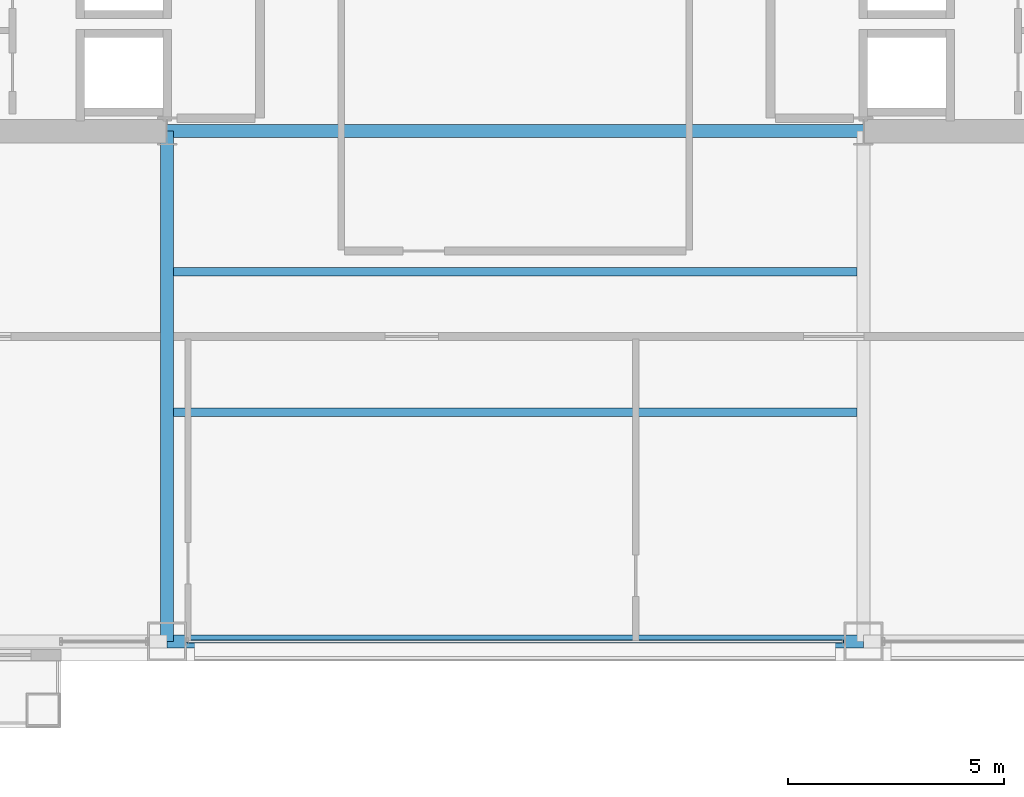
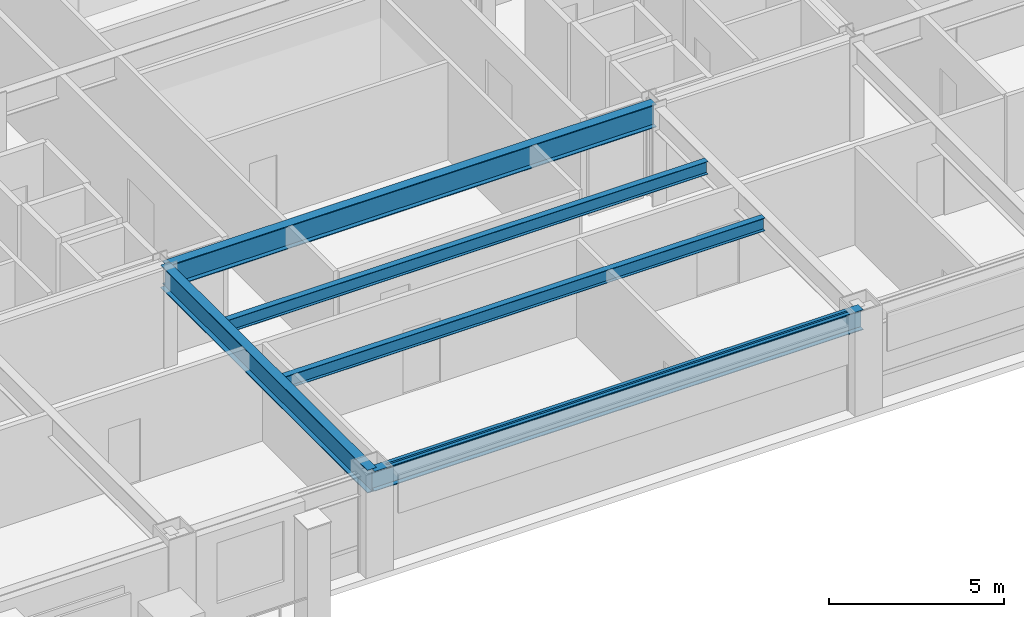
# One storey, part 5 of 29: 5 beams, 1 member, 1 element without a shape of its own.
"""IFC4 building model written with IfcOpenShell, lengths in metres."""

from ifc_helpers import new_model, si_unit, direction, frame, origin, origin_2d, place, context, subcontext, project, spatial, hollow_rectangle, i_section, extrude, material, layer, layer_set, material_profile, profile_set, type_object, element, aggregate, save


model = new_model("IFC4")

# Units and contexts
model_context = context("Model", 3, precision=1e-05, world=origin(), true_north=direction((0.0, 1.0)))
body_context = subcontext(model_context, "Body", "Model", "MODEL_VIEW")
ifc_project = project(units=[si_unit("LENGTHUNIT", "METRE"), si_unit("AREAUNIT", "SQUARE_METRE"), si_unit("VOLUMEUNIT", "CUBIC_METRE"), si_unit("PLANEANGLEUNIT", "RADIAN"), si_unit("MASSUNIT", "GRAM", prefix="KILO")], contexts=[model_context])

# Site, building, storey
site_placement = place(None, origin())
site = spatial("IfcSite", under=ifc_project, at=site_placement, CompositionType="ELEMENT")
building_placement = place(site_placement, origin())
building = spatial("IfcBuilding", under=site, at=building_placement, Name="Brelmoor Portico Tower", CompositionType="ELEMENT")
storey_placement = place(building_placement, frame((0.0, 0.0, 63.60009765625)))
storey = spatial("IfcBuildingStorey", under=building, at=storey_placement, Name="L16", CompositionType="ELEMENT", Elevation=63.60009765625)

# Beams
ifc_material_1 = material(Name="Steel Q355B", Category="steel")
ifc_material_profile_1 = material_profile(ifc_material_1, i_section(OverallWidth=0.199951171875, OverallDepth=0.449951171875, WebThickness=0.009033203125, FlangeThickness=0.013916015625, at=origin_2d()), Name="HN 450x200x9x14")
ifc_profile_set_1 = profile_set([ifc_material_profile_1], Name="Steel Q355B")
beam_type_1 = type_object("IfcBeamType", Name="BM-JS-450", PredefinedType="JOIST", material=ifc_profile_set_1)
for number, where, z_axis, x_axis, name in (
    (1, (-7.89990234375, -16.25, 3.1748046875), (1.0, 0.0, 0.0), (0.0, 1.0, 0.0), "L16 Secondary Composite Joist JS-C01"),
    (2, (-7.89990234375, -13.0, 3.1748046875), (1.0, 0.0, 0.0), (0.0, 1.0, 0.0), "L16 Secondary Composite Joist JS-C02"),
):
    element("IfcBeam", number, at=place(storey_placement, frame(where, z_axis=z_axis, x_axis=x_axis)), inside=storey, type_object=beam_type_1, Name=name, PredefinedType="JOIST", context=body_context, shape_type="SweptSolid", body=[
        extrude(i_section(OverallWidth=0.199951171875, OverallDepth=0.449951171875, WebThickness=0.009033203125, FlangeThickness=0.013916015625, at=origin_2d()), origin(), (0.0, 0.0, 1.0), 15.7998046875),
    ])
ifc_material_profile_2 = material_profile(ifc_material_1, i_section(OverallWidth=0.300048828125, OverallDepth=0.800048828125, WebThickness=0.013916015625, FlangeThickness=0.02587890625, at=origin_2d()), Name="HN 800x300x14x26")
ifc_profile_set_2 = profile_set([ifc_material_profile_2], Name="Steel Q355B")
beam_type_2 = type_object("IfcBeamType", Name="BM-PG-800", PredefinedType="BEAM", material=ifc_profile_set_2)
beam_1_placement = place(storey_placement, frame((-8.050048828125, -21.550048828125, 3.0), z_axis=(0.0, 1.0, 0.0), x_axis=(-1.0, 0.0, 0.0)))
element("IfcBeam", 3, at=beam_1_placement, inside=storey, type_object=beam_type_2, Name="L16 Primary Floor Girder PG-07", PredefinedType="BEAM", context=body_context, shape_type="SweptSolid", body=[
    extrude(i_section(OverallWidth=0.300048828125, OverallDepth=0.800048828125, WebThickness=0.013916015625, FlangeThickness=0.02587890625, at=origin_2d()), origin(), (0.0, 0.0, 1.0), 11.800048828125),
])
beam_2_placement = place(storey_placement, frame((-8.050048828125, -9.75, 3.0), z_axis=(1.0, 0.0, 0.0), x_axis=(0.0, 1.0, 0.0)))
element("IfcBeam", 4, at=beam_2_placement, inside=storey, type_object=beam_type_2, Name="L16 Primary Floor Girder PG-21", PredefinedType="BEAM", context=body_context, shape_type="SweptSolid", body=[
    extrude(i_section(OverallWidth=0.300048828125, OverallDepth=0.800048828125, WebThickness=0.013916015625, FlangeThickness=0.02587890625, at=origin_2d()), origin(), (0.0, 0.0, 1.0), 16.10009765625),
])
ifc_material_profile_3 = material_profile(ifc_material_1, i_section(OverallWidth=0.300048828125, OverallDepth=0.699951171875, WebThickness=0.012939453125, FlangeThickness=0.02392578125, at=origin_2d()), Name="HN 700x300x13x24")
ifc_profile_set_3 = profile_set([ifc_material_profile_3], Name="Steel Q355B")
beam_type_3 = type_object("IfcBeamType", Name="BM-SP-700", PredefinedType="SPANDREL", material=ifc_profile_set_3)
beam_3_placement = place(storey_placement, frame((-8.050048828125, -21.550048828125, 3.0498046875), z_axis=(1.0, 0.0, 0.0), x_axis=(0.0, 1.0, 0.0)))
element("IfcBeam", 5, at=beam_3_placement, inside=storey, type_object=beam_type_3, Name="L16 Perimeter Spandrel Beam SP-03", PredefinedType="SPANDREL", context=body_context, shape_type="SweptSolid", body=[
    extrude(i_section(OverallWidth=0.300048828125, OverallDepth=0.699951171875, WebThickness=0.012939453125, FlangeThickness=0.02392578125, at=origin_2d()), origin(), (0.0, 0.0, 1.0), 16.10009765625),
])

# Curtain wall, member
ifc_material_2 = material(Name="Anodised Aluminium Alloy 6063-T6", Category="aluminium")
ifc_layer = layer(ifc_material_2, 0.179931640625)
ifc_layer_set = layer_set([ifc_layer], Name="Anodised Aluminium Alloy 6063-T6")
curtain_wall_type = type_object("IfcCurtainWallType", Name="CW-TOWER-Z1-XB", PredefinedType="NOTDEFINED", material=ifc_layer_set)
curtain_wall_placement = place(storey_placement, origin())
curtain_wall = element("IfcCurtainWall", 6, at=curtain_wall_placement, inside=storey, type_object=curtain_wall_type, Name="L16 Curtain Wall CW-L16-1R-2", PredefinedType="NOTDEFINED")
ifc_material_profile_4 = material_profile(ifc_material_2, hollow_rectangle(XDim=0.06494140625, YDim=0.139892578125, WallThickness=0.00390625, at=origin_2d()), Name="ALU TRANSOM 65x140")
ifc_profile_set_4 = profile_set([ifc_material_profile_4], Name="Anodised Aluminium Alloy 6063-T6")
member_type = type_object("IfcMemberType", Name="MB-CW-TRAN-140", PredefinedType="USERDEFINED", material=ifc_profile_set_4)
member_placement = place(storey_placement, frame((-7.590087890625, -21.550048828125, 3.329833984375), z_axis=(1.0, 0.0, 0.0), x_axis=(0.0, 1.0, 0.0)))
member = element("IfcMember", 7, at=member_placement, type_object=member_type, Name="CW-L16-1R-2 Transom 1-00", ObjectType="TRANSOM", PredefinedType="USERDEFINED", context=body_context, shape_type="SweptSolid", body=[
    extrude(hollow_rectangle(XDim=0.06494140625, YDim=0.139892578125, WallThickness=0.00390625, at=origin_2d()), origin(), (0.0, 0.0, 1.0), 15.18017578125),
])
aggregate(curtain_wall, [member])

save(model, "model.ifc")
